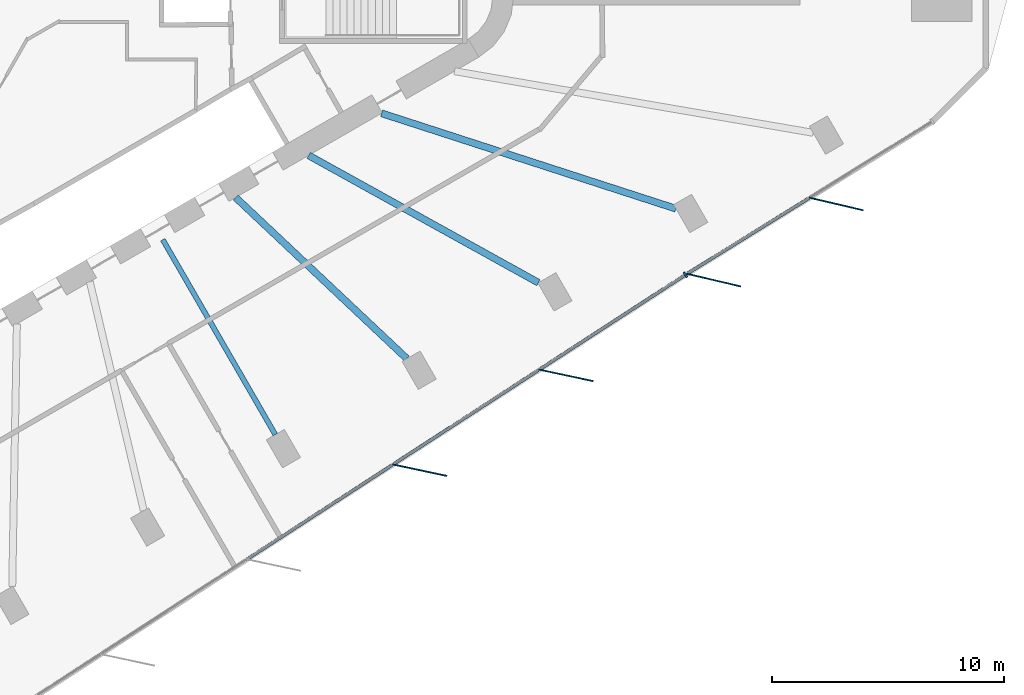
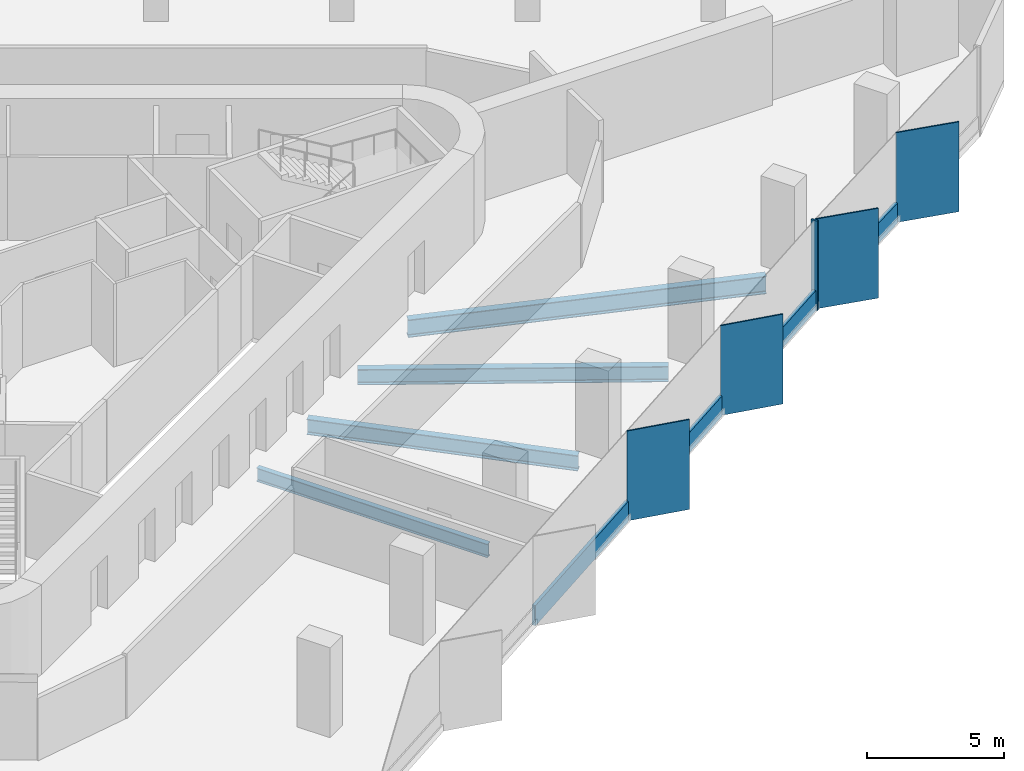
# One storey, part 3 of 13: 9 members, 4 beams, 2 elements without a shape of their own.
"""IFC4 building model written with IfcOpenShell, lengths in metres."""

from ifc_helpers import new_model, si_unit, direction, frame, origin, origin_2d, place, context, subcontext, project, spatial, rectangle, i_section, extrude, material, material_profile, profile_set, type_object, element, aggregate, save


model = new_model("IFC4")

# Units and contexts
model_context = context("Model", 3, precision=1e-05, world=origin(), true_north=direction((0.0, 1.0)))
body_context = subcontext(model_context, "Body", "Model", "MODEL_VIEW")
ifc_project = project(units=[si_unit("LENGTHUNIT", "METRE"), si_unit("AREAUNIT", "SQUARE_METRE"), si_unit("VOLUMEUNIT", "CUBIC_METRE"), si_unit("PLANEANGLEUNIT", "RADIAN"), si_unit("MASSUNIT", "GRAM", prefix="KILO")], contexts=[model_context])

# Site, building, storey
site_placement = place(None, origin())
site = spatial("IfcSite", under=ifc_project, at=site_placement, CompositionType="ELEMENT")
building_placement = place(site_placement, origin())
building = spatial("IfcBuilding", under=site, at=building_placement, Name="Tanit Gate Tower", CompositionType="ELEMENT")
storey_placement = place(building_placement, frame((0.0, 0.0, 177.199951171875)))
storey = spatial("IfcBuildingStorey", under=building, at=storey_placement, Name="L38", CompositionType="ELEMENT", Elevation=177.199951171875)

# Curtain wall, members
ifc_material_1 = material(Name="Aluminium bronze anodised and glass", Category="aluminium")
curtain_wall_type = type_object("IfcCurtainWallType", Name="Curtain wall typical mid", PredefinedType="NOTDEFINED", material=ifc_material_1)
curtain_wall_1_placement = place(storey_placement, origin())
curtain_wall_1 = element("IfcCurtainWall", 1, at=curtain_wall_1_placement, inside=storey, type_object=curtain_wall_type, Name="Curtain wall L38 SE2", PredefinedType="NOTDEFINED")
ifc_material_2 = material(Name="Aluminium bronze anodised", Category="aluminium")
ifc_material_profile_1 = material_profile(ifc_material_2, rectangle(XDim=2.39990234375, YDim=0.055908203125, at=origin_2d()), Name="56x2400 bronze fin mullion")
ifc_profile_set_1 = profile_set([ifc_material_profile_1], Name="Aluminium bronze anodised")
member_type_1 = type_object("IfcMemberType", Name="FIN MULLION 56x2400 bronze", PredefinedType="MULLION", material=ifc_profile_set_1)
member_1_placement = place(storey_placement, frame((17.150146484375, -20.43505859375, -0.300048828125), z_axis=(0.0, 0.0, 1.0), x_axis=(-0.978049407445, 0.208373118697, 0.0)))
member_1 = element("IfcMember", 2, at=member_1_placement, type_object=member_type_1, Name="Fin mullion L38 SE2.4", PredefinedType="MULLION", context=body_context, shape_type="SweptSolid", body=[
    extrude(rectangle(XDim=2.39990234375, YDim=0.055908203125, at=origin_2d()), origin(), (0.0, 0.0, 1.0), 4.0),
])
member_2_placement = place(storey_placement, frame((23.463623046875, -16.339111328125, -0.300048828125), z_axis=(0.0, 0.0, 1.0), x_axis=(-0.978049407445, 0.208373118697, 0.0)))
member_2 = element("IfcMember", 3, at=member_2_placement, type_object=member_type_1, Name="Fin mullion L38 SE2.5", PredefinedType="MULLION", context=body_context, shape_type="SweptSolid", body=[
    extrude(rectangle(XDim=2.39990234375, YDim=0.055908203125, at=origin_2d()), origin(), (0.0, 0.0, 1.0), 4.0),
])

curtain_wall_2_placement = place(storey_placement, origin())
curtain_wall_2 = element("IfcCurtainWall", 4, at=curtain_wall_2_placement, inside=storey, type_object=curtain_wall_type, Name="Curtain wall L38 SE3", PredefinedType="NOTDEFINED")
member_3_placement = place(storey_placement, frame((29.839599609375, -12.223876953125, -0.300048828125), z_axis=(0.0, 0.0, 1.0), x_axis=(-0.973618131435, 0.228183553615, 0.0)))
member_3 = element("IfcMember", 5, at=member_3_placement, type_object=member_type_1, Name="Fin mullion L38 SE3.1", PredefinedType="MULLION", context=body_context, shape_type="SweptSolid", body=[
    extrude(rectangle(XDim=2.39990234375, YDim=0.055908203125, at=origin_2d()), origin(), (0.0, 0.0, 1.0), 4.0),
])
member_4_placement = place(storey_placement, frame((35.138427734375, -8.937255859375, -0.300048828125), z_axis=(0.0, 0.0, 1.0), x_axis=(-0.973618131435, 0.228183553615, 0.0)))
member_4 = element("IfcMember", 6, at=member_4_placement, type_object=member_type_1, Name="Fin mullion L38 SE3.2", PredefinedType="MULLION", context=body_context, shape_type="SweptSolid", body=[
    extrude(rectangle(XDim=2.39990234375, YDim=0.055908203125, at=origin_2d()), origin(), (0.0, 0.0, 1.0), 4.0),
])

# Member
ifc_material_3 = material(Name="Aluminium bronze anodised", Category="aluminium")
ifc_material_profile_2 = material_profile(ifc_material_3, rectangle(XDim=0.260009765625, YDim=0.080078125, at=origin_2d()), Name="80x260 bronze mullion")
ifc_profile_set_2 = profile_set([ifc_material_profile_2], Name="Aluminium bronze anodised")
member_type_2 = type_object("IfcMemberType", Name="Mullion 80x260 typical mid", PredefinedType="MULLION", material=ifc_profile_set_2)
member_5_placement = place(storey_placement, frame((28.62451171875, -11.997802734375, -0.300048828125), z_axis=(0.0, 0.0, 1.0), x_axis=(-0.544243323092, 0.838927413588, 0.0)))
member_5 = element("IfcMember", 7, at=member_5_placement, type_object=member_type_2, Name="Mullion L38 SE2.6", PredefinedType="MULLION", context=body_context, shape_type="SweptSolid", body=[
    extrude(rectangle(XDim=0.260009765625, YDim=0.080078125, at=origin_2d()), origin(), (0.0, 0.0, 1.0), 4.0),
])

# Beams
ifc_material_4 = material(Name="Steel S355", Category="steel")
ifc_material_profile_3 = material_profile(ifc_material_4, i_section(OverallWidth=0.300048828125, OverallDepth=0.68994140625, WebThickness=0.014404296875, FlangeThickness=0.027099609375, FilletRadius=0.027099609375, at=origin_2d()), Name="HEA 700")
ifc_profile_set_3 = profile_set([ifc_material_profile_3], Name="Steel S355")
beam_type_1 = type_object("IfcBeamType", Name="RADIAL GIRDER HEA 700 S355", PredefinedType="BEAM", material=ifc_profile_set_3)
beam_1_placement = place(storey_placement, frame((16.593505859375, -15.619384765625, -0.64501953125), z_axis=(-0.728163982775, 0.685402957529, 0.0), x_axis=(-0.685402957529, -0.728163982775, 0.0)))
element("IfcBeam", 8, at=beam_1_placement, inside=storey, type_object=beam_type_1, Name="RADIAL GIRDER", PredefinedType="BEAM", context=body_context, shape_type="SweptSolid", body=[
    extrude(i_section(OverallWidth=0.300048828125, OverallDepth=0.68994140625, WebThickness=0.014404296875, FlangeThickness=0.027099609375, FilletRadius=0.027099609375, at=origin_2d()), origin(), (0.0, 0.0, 1.0), 10.1513671875),
])
beam_2_placement = place(storey_placement, frame((22.27490234375, -12.339111328125, -0.64501953125), z_axis=(-0.874754584169, 0.484566215781, 0.0), x_axis=(-0.484566215781, -0.874754584169, 0.0)))
element("IfcBeam", 9, at=beam_2_placement, inside=storey, type_object=beam_type_1, Name="RADIAL GIRDER", PredefinedType="BEAM", context=body_context, shape_type="SweptSolid", body=[
    extrude(i_section(OverallWidth=0.300048828125, OverallDepth=0.68994140625, WebThickness=0.014404296875, FlangeThickness=0.027099609375, FilletRadius=0.027099609375, at=origin_2d()), origin(), (0.0, 0.0, 1.0), 11.34326171875),
])
ifc_material_5 = material(Name="Steel S355", Category="steel")
ifc_material_profile_4 = material_profile(ifc_material_5, i_section(OverallWidth=0.300048828125, OverallDepth=0.7900390625, WebThickness=0.014892578125, FlangeThickness=0.028076171875, FilletRadius=0.030029296875, at=origin_2d()), Name="HEA 800")
ifc_profile_set_4 = profile_set([ifc_material_profile_4], Name="Steel S355")
beam_type_2 = type_object("IfcBeamType", Name="RADIAL GIRDER HEA 800 S355", PredefinedType="BEAM", material=ifc_profile_set_4)
beam_3_placement = place(storey_placement, frame((28.214111328125, -9.142333984375, -0.695068359375), z_axis=(-0.951302925208, 0.308257594376, 0.0), x_axis=(-0.308257594376, -0.951302925208, 0.0)))
element("IfcBeam", 10, at=beam_3_placement, inside=storey, type_object=beam_type_2, Name="RADIAL GIRDER", PredefinedType="BEAM", context=body_context, shape_type="SweptSolid", body=[
    extrude(i_section(OverallWidth=0.300048828125, OverallDepth=0.7900390625, WebThickness=0.014892578125, FlangeThickness=0.028076171875, FilletRadius=0.030029296875, at=origin_2d()), origin(), (0.0, 0.0, 1.0), 13.36181640625),
])
ifc_material_6 = material(Name="Steel S355", Category="steel")
ifc_material_profile_5 = material_profile(ifc_material_6, i_section(OverallWidth=0.219970703125, OverallDepth=0.60009765625, WebThickness=0.011962890625, FlangeThickness=0.01904296875, FilletRadius=0.02392578125, at=origin_2d()), Name="IPE 600")
ifc_profile_set_5 = profile_set([ifc_material_profile_5], Name="Steel S355")
beam_type_3 = type_object("IfcBeamType", Name="RADIAL GIRDER IPE 600 S355", PredefinedType="BEAM", material=ifc_profile_set_5)
beam_4_placement = place(storey_placement, frame((10.911865234375, -18.89990234375, -0.599853515625), z_axis=(-0.500001430823, 0.866024577697, 0.0), x_axis=(-0.866024577697, -0.500001430823, 0.0)))
element("IfcBeam", 11, at=beam_4_placement, inside=storey, type_object=beam_type_3, Name="RADIAL GIRDER", PredefinedType="BEAM", context=body_context, shape_type="SweptSolid", body=[
    extrude(i_section(OverallWidth=0.219970703125, OverallDepth=0.60009765625, WebThickness=0.011962890625, FlangeThickness=0.01904296875, FilletRadius=0.02392578125, at=origin_2d()), origin(), (0.0, 0.0, 1.0), 9.7216796875),
])

# Member
ifc_material_7 = material(Name="Aluminium bronze anodised", Category="aluminium")
ifc_material_profile_6 = material_profile(ifc_material_7, rectangle(XDim=0.139892578125, YDim=0.89990234375, at=origin_2d()), Name="140x900 bronze transom")
ifc_profile_set_6 = profile_set([ifc_material_profile_6], Name="Aluminium bronze anodised")
member_type_3 = type_object("IfcMemberType", Name="Transom 140x900 typical mid", PredefinedType="USERDEFINED", material=ifc_profile_set_6)
member_6_placement = place(storey_placement, frame((9.71728515625, -24.263427734375, 0.150146484375), z_axis=(0.838926489373, 0.544244747727, 0.0), x_axis=(-0.544244747727, 0.838926489373, 0.0)))
member_6 = element("IfcMember", 12, at=member_6_placement, type_object=member_type_3, Name="Transom L38 SE2.3", ObjectType="TRANSOM", PredefinedType="USERDEFINED", context=body_context, shape_type="SweptSolid", body=[
    extrude(rectangle(XDim=0.139892578125, YDim=0.89990234375, at=origin_2d()), origin(), (0.0, 0.0, 1.0), 7.445556640625),
])

member_7_placement = place(storey_placement, frame((16.03076171875, -20.167724609375, 0.150146484375), z_axis=(0.83892123078, 0.544252853503, 0.0), x_axis=(-0.544252853503, 0.83892123078, 0.0)))
member_7 = element("IfcMember", 13, at=member_7_placement, type_object=member_type_3, Name="Transom L38 SE2.4", ObjectType="TRANSOM", PredefinedType="USERDEFINED", context=body_context, shape_type="SweptSolid", body=[
    extrude(rectangle(XDim=0.139892578125, YDim=0.89990234375, at=origin_2d()), origin(), (0.0, 0.0, 1.0), 7.446044921875),
])

member_8_placement = place(storey_placement, frame((22.34423828125, -16.07177734375, 0.150146484375), z_axis=(0.838936201381, 0.544229776852, 0.0), x_axis=(-0.544229776852, 0.838936201381, 0.0)))
member_8 = element("IfcMember", 14, at=member_8_placement, type_object=member_type_3, Name="Transom L38 SE2.5", ObjectType="TRANSOM", PredefinedType="USERDEFINED", context=body_context, shape_type="SweptSolid", body=[
    extrude(rectangle(XDim=0.139892578125, YDim=0.89990234375, at=origin_2d()), origin(), (0.0, 0.0, 1.0), 7.44580078125),
])

aggregate(curtain_wall_1, [member_1, member_2, member_5, member_6, member_7, member_8])

member_9_placement = place(storey_placement, frame((28.725830078125, -11.933837890625, 0.150146484375), z_axis=(0.849798231342, 0.527108116052, 0.0), x_axis=(-0.527108116052, 0.849798231342, 0.0)))
member_9 = element("IfcMember", 15, at=member_9_placement, type_object=member_type_3, Name="Transom L38 SE3.1", ObjectType="TRANSOM", PredefinedType="USERDEFINED", context=body_context, shape_type="SweptSolid", body=[
    extrude(rectangle(XDim=0.139892578125, YDim=0.89990234375, at=origin_2d()), origin(), (0.0, 0.0, 1.0), 6.155517578125),
])

aggregate(curtain_wall_2, [member_3, member_4, member_9])

save(model, "model.ifc")
